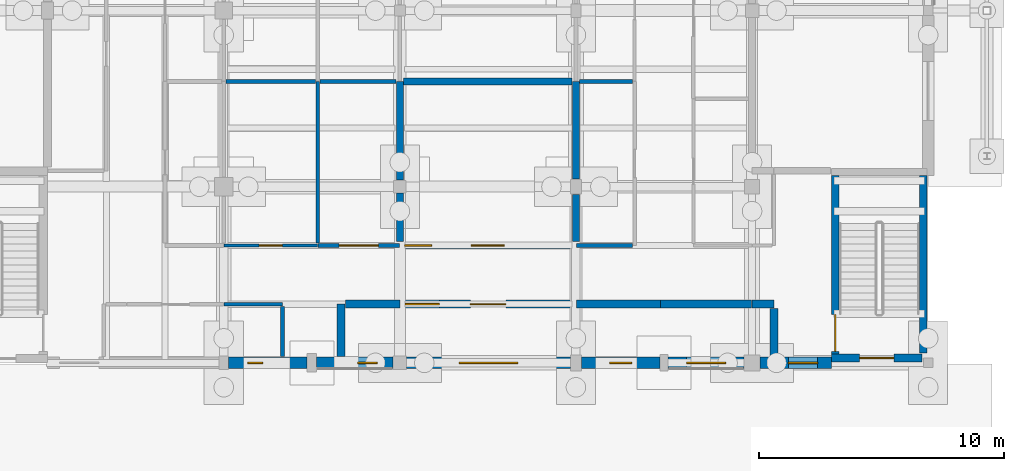
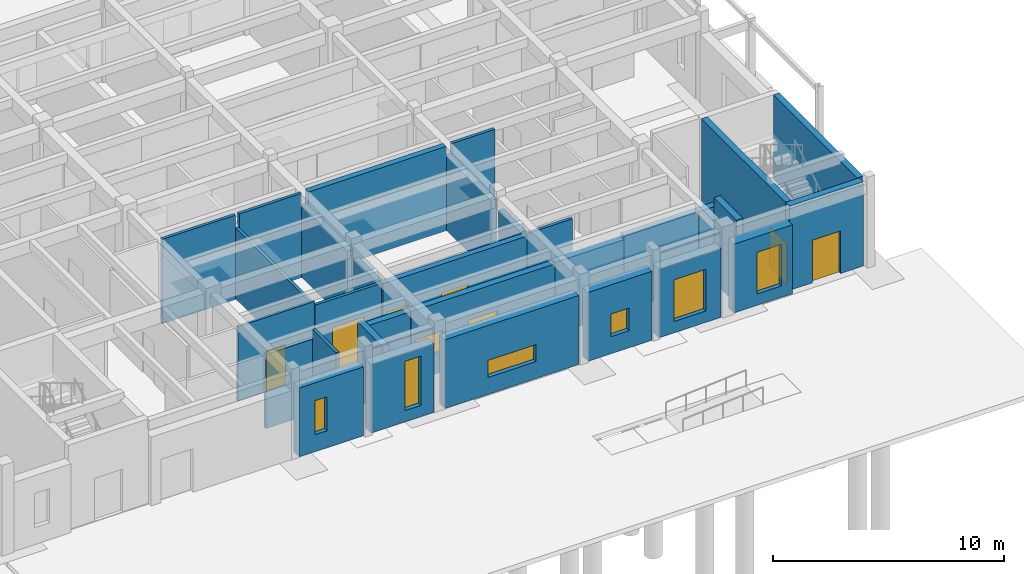
# One storey, part 117 of 143: 31 walls, 8 windows, 6 doors, 14 openings.
"""IFC4 building model written with IfcOpenShell, lengths in metres."""

import ifcopenshell
import ifcopenshell.guid

model = None  # the IFC model being written
_history = None  # IfcOwnerHistory: only IFC2X3 demands one
_inside = {}  # id of a spatial element -> (the spatial element, [elements in it])
_under = {}  # id of a project, library or spatial element -> (it, [spatial elements below it])
_declared = {}  # id of a project -> (the project, [libraries it declares])
_typed = {}  # id of a type object -> (the type object, [elements of that type])
_made_of = {}  # id of a material, layer set ... -> (it, [elements and type objects made of it])


def new_model(schema):
    """Start an empty IFC model of exactly this schema.

    Asked for "IFC4X3", IfcOpenShell would pick the latest addendum, in which some entities
    have other attributes; the version numbers below select the first issue.
    IFC2X3 requires an IfcOwnerHistory on every rooted entity: one is made here for all.
    """
    global model, _history
    if schema == "IFC4X3":
        model = ifcopenshell.file(schema_version=(4, 3, 0, 0))
    else:
        model = ifcopenshell.file(schema=schema)
    _inside.clear()
    _under.clear()
    _declared.clear()
    _typed.clear()
    _made_of.clear()
    _history = None
    if model.schema == "IFC2X3":
        org = make("IfcOrganization", Name="unknown")
        user = make(
            "IfcPersonAndOrganization",
            ThePerson=make("IfcPerson", FamilyName="unknown"),
            TheOrganization=org,
        )
        app = make(
            "IfcApplication",
            ApplicationDeveloper=org,
            Version="unknown",
            ApplicationFullName="unknown",
            ApplicationIdentifier="unknown",
        )
        _history = make(
            "IfcOwnerHistory",
            OwningUser=user,
            OwningApplication=app,
            ChangeAction="ADDED",
            CreationDate=0,
        )
    return model


def make(cls, **values):
    """One entity of the class cls with the attributes given. An attribute that is None is left unset."""
    return model.create_entity(
        cls, **{name: value for name, value in values.items() if value is not None}
    )


def rooted(cls, **values):
    """An entity with a GlobalId (a new one), such as an element, a storey or a relation."""
    return make(cls, GlobalId=ifcopenshell.guid.new(), OwnerHistory=_history, **values)


def si_unit(unit_type, name, prefix=None):
    """IfcSIUnit, for example si_unit("LENGTHUNIT", "METRE", prefix="MILLI")."""
    return make("IfcSIUnit", UnitType=unit_type, Prefix=prefix, Name=name)


def assignment(units):
    """IfcUnitAssignment: the units of a project."""
    return None if units is None else make("IfcUnitAssignment", Units=units)


def point(xyz):
    """IfcCartesianPoint."""
    return None if xyz is None else make("IfcCartesianPoint", Coordinates=xyz)


def direction(xyz):
    """IfcDirection."""
    return None if xyz is None else make("IfcDirection", DirectionRatios=xyz)


def frame(location, z_axis=None, x_axis=None):
    """IfcAxis2Placement3D, a coordinate frame: its origin and axes. An axis left out is left unset."""
    return make(
        "IfcAxis2Placement3D",
        Location=point(location),
        Axis=direction(z_axis),
        RefDirection=direction(x_axis),
    )


def frame_2d(location, x_axis=None):
    """IfcAxis2Placement2D, a coordinate frame in the plane: its origin and x axis."""
    return make(
        "IfcAxis2Placement2D", Location=point(location), RefDirection=direction(x_axis)
    )


def origin():
    """The frame at (0, 0, 0) with its axes left unset."""
    return frame((0.0, 0.0, 0.0))


def place(relative_to, where):
    """IfcLocalPlacement: puts the frame where relative to a parent placement (None: the world)."""
    return make(
        "IfcLocalPlacement", PlacementRelTo=relative_to, RelativePlacement=where
    )


def context(
    kind, dimensions, precision=None, world=None, true_north=None, identifier=None
):
    """IfcGeometricRepresentationContext, for example the 3D "Model" context."""
    return make(
        "IfcGeometricRepresentationContext",
        ContextIdentifier=identifier,
        ContextType=kind,
        CoordinateSpaceDimension=dimensions,
        Precision=precision,
        WorldCoordinateSystem=world,
        TrueNorth=true_north,
    )


def subcontext(parent, identifier, kind, view, scale=None):
    """IfcGeometricRepresentationSubContext, for example "Body" below "Model"."""
    return make(
        "IfcGeometricRepresentationSubContext",
        ContextIdentifier=identifier,
        ContextType=kind,
        ParentContext=parent,
        TargetScale=scale,
        TargetView=view,
    )


def project(units=None, contexts=None):
    """IfcProject with its units and contexts."""
    return rooted(
        "IfcProject",
        Name="project",
        RepresentationContexts=contexts,
        UnitsInContext=assignment(units),
    )


def spatial(cls, under=None, at=None, **own):
    """A site, building, storey or space (cls), placed at a placement, below another one or the project."""
    s = rooted(cls, ObjectPlacement=at, **own)
    if under is not None:
        _under.setdefault(under.id(), (under, []))[1].append(s)
    return s


def profile(cls, at=None, kind="AREA", **sizes):
    """A parametric profile (cls). Its sizes go by their IFC names, for example OverallWidth=200.0."""
    return make(cls, ProfileType=kind, Position=at, **sizes)


def rectangle(**sizes):
    """IfcRectangleProfileDef."""
    return profile("IfcRectangleProfileDef", **sizes)


def extrude(swept, where, along, depth):
    """IfcExtrudedAreaSolid: the profile swept, set in the frame where, extruded along a direction by depth."""
    return make(
        "IfcExtrudedAreaSolid",
        SweptArea=swept,
        Position=where,
        ExtrudedDirection=direction(along),
        Depth=depth,
    )


def shape(context_of_items, identifier, shape_type, items):
    """IfcShapeRepresentation: the items that make up one representation, for example the "Body"."""
    return make(
        "IfcShapeRepresentation",
        ContextOfItems=context_of_items,
        RepresentationIdentifier=identifier,
        RepresentationType=shape_type,
        Items=items,
    )


def material(Name=None, Category=None):
    """IfcMaterial."""
    return make("IfcMaterial", Name=Name, Category=Category)


def layer(
    of_material, thickness, ventilated=None, Name=None, Category=None, Priority=None
):
    """IfcMaterialLayer: one layer of a wall or slab, of a material (None: an air gap)."""
    return make(
        "IfcMaterialLayer",
        Material=of_material,
        LayerThickness=thickness,
        IsVentilated=ventilated,
        Name=Name,
        Category=Category,
        Priority=Priority,
    )


def layer_set(layers, Name=None):
    """IfcMaterialLayerSet."""
    return make("IfcMaterialLayerSet", MaterialLayers=layers, LayerSetName=Name)


def made_of(thing, what):
    """Note that an element or type object is made of a material, layer set ...; save() writes the relation."""
    if what is not None:
        _made_of.setdefault(what.id(), (what, []))[1].append(thing)
    return thing


def type_object(cls, material=None, **own):
    """A type object (cls), such as IfcWallType, which elements share."""
    return made_of(rooted(cls, **own), material)


def element(
    cls,
    number,
    at=None,
    inside=None,
    cuts=None,
    type_object=None,
    material=None,
    context=None,
    identifier="Body",
    shape_type=None,
    held_by="IfcProductDefinitionShape",
    body=None,
    shapes=None,
    **own,
):
    """One element of the class cls, such as IfcWall. Its Tag is "e" and its number.

    at: its placement. inside: the storey or other place that contains it. cuts: it is an
    opening in that element (IfcRelVoidsElement). A single representation is given by context,
    identifier, shape_type and body (its items); several are given by shapes. held_by: the class
    of the entity that holds the representations. save() writes the other relations.
    """
    e = rooted(cls, Tag="e%d" % number, ObjectPlacement=at, **own)
    if body is not None:
        shapes = [shape(context, identifier, shape_type, body)]
    if shapes is not None:
        e.Representation = make(held_by, Representations=shapes)
    if inside is not None:
        _inside.setdefault(inside.id(), (inside, []))[1].append(e)
    if cuts is not None:
        rooted(
            "IfcRelVoidsElement", RelatingBuildingElement=cuts, RelatedOpeningElement=e
        )
    if type_object is not None:
        _typed.setdefault(type_object.id(), (type_object, []))[1].append(e)
    return made_of(e, material)


def fill(opening, filler):
    """IfcRelFillsElement: the door or window that sits in an opening."""
    return rooted(
        "IfcRelFillsElement",
        RelatingOpeningElement=opening,
        RelatedBuildingElement=filler,
    )


def aggregate(whole, parts):
    """IfcRelAggregates: a whole, such as a stair, and the parts it consists of."""
    return rooted("IfcRelAggregates", RelatingObject=whole, RelatedObjects=parts)


def save(model, path):
    """Write the relations noted so far, then the file.

    IfcRelAggregates (storeys below a building ...), IfcRelContainedInSpatialStructure (elements
    in a storey), IfcRelDefinesByType, IfcRelAssociatesMaterial and IfcRelDeclares: one each for
    every whole, place, type object, material and project.
    """
    for whole, parts in _under.values():
        aggregate(whole, parts)
    for where, things in _inside.values():
        rooted(
            "IfcRelContainedInSpatialStructure",
            RelatedElements=things,
            RelatingStructure=where,
        )
    for kind, things in _typed.values():
        rooted("IfcRelDefinesByType", RelatedObjects=things, RelatingType=kind)
    for what, things in _made_of.values():
        rooted("IfcRelAssociatesMaterial", RelatedObjects=things, RelatingMaterial=what)
    for by, libraries in _declared.values():
        rooted("IfcRelDeclares", RelatingContext=by, RelatedDefinitions=libraries)
    model.write(path)


model = new_model("IFC4")

# Units and contexts
model_context = context("Model", 3, precision=1e-05, world=origin(), true_north=direction((0.0, 1.0)))
body_context = subcontext(model_context, "Body", "Model", "MODEL_VIEW")
ifc_project = project(units=[si_unit("LENGTHUNIT", "METRE"), si_unit("AREAUNIT", "SQUARE_METRE"), si_unit("VOLUMEUNIT", "CUBIC_METRE"), si_unit("PLANEANGLEUNIT", "RADIAN"), si_unit("MASSUNIT", "GRAM", prefix="KILO")], contexts=[model_context])

# Site, building, storey
site_placement = place(None, origin())
site = spatial("IfcSite", under=ifc_project, at=site_placement, CompositionType="ELEMENT")
building_placement = place(site_placement, origin())
building = spatial("IfcBuilding", under=site, at=building_placement, Name="Steenspoor Specialist Clinic", CompositionType="ELEMENT")
storey_placement = place(building_placement, origin())
storey = spatial("IfcBuildingStorey", under=building, at=storey_placement, Name="L00", CompositionType="ELEMENT", Elevation=0.0)

# Wall, opening, window
ifc_material_1 = material(Name="Volcanic basalt ashlar masonry", Category="masonry")
ifc_layer_1 = layer(ifc_material_1, 0.47998046875)
ifc_layer_set_1 = layer_set([ifc_layer_1], Name="Volcanic basalt ashlar masonry")
wall_type_1 = type_object("IfcWallType", Name="W-BASALT-480", PredefinedType="SOLIDWALL", material=ifc_layer_set_1)
wall_1_placement = place(storey_placement, frame((157.25, 13.050048828125, 0.0), z_axis=(0.0, 0.0, 1.0), x_axis=(-1.0, 0.0, 0.0)))
wall_1 = element("IfcWall", 1, at=wall_1_placement, inside=storey, type_object=wall_type_1, Name="Exterior Brick Wall EW-V2-L00-0035", PredefinedType="SOLIDWALL", context=body_context, shape_type="SweptSolid", body=[
    extrude(rectangle(XDim=2.925048828125, YDim=0.47998046875, at=frame_2d((1.46240234375, 0.0))), origin(), (0.0, 0.0, 1.0), 3.639892578125),
])
opening_1_placement = place(wall_1_placement, frame((0.56494140625, 0.0, 0.60009765625)))
opening_1 = element("IfcOpeningElement", 2, at=opening_1_placement, cuts=wall_1, Name="Opening WN-15", PredefinedType="OPENING", context=body_context, shape_type="SweptSolid", body=[
    extrude(rectangle(XDim=1.199951171875, YDim=2.199951171875, at=frame_2d((0.60009765625, 1.10009765625))), frame((0.0, 0.25, 0.0), z_axis=(0.0, -1.0, 0.0), x_axis=(1.0, 0.0, 0.0)), (0.0, 0.0, 1.0), 0.5),
])
ifc_material_2 = material(Name="Thermally broken aluminium and low-emissivity glass", Category="aluminium")
window_type_1 = type_object("IfcWindowType", Name="WN-EXT-120X220", PartitioningType="SINGLE_PANEL", PredefinedType="WINDOW", material=ifc_material_2)
window_1_placement = place(opening_1_placement, origin())
window_1 = element("IfcWindow", 3, at=window_1_placement, inside=storey, type_object=window_type_1, Name="Window 0044", OverallHeight=2.199951171875, OverallWidth=1.199951171875, PartitioningType="SINGLE_PANEL", PredefinedType="WINDOW", context=body_context, shape_type="SweptSolid", body=[
    extrude(rectangle(XDim=1.199951171875, YDim=2.199951171875, at=frame_2d((0.60009765625, 1.10009765625))), frame((0.0, 0.030029296875, 0.0), z_axis=(0.0, -1.0, 0.0), x_axis=(1.0, 0.0, 0.0)), (0.0, 0.0, 1.0), 0.06005859375),
])
fill(opening_1, window_1)

wall_2_placement = place(storey_placement, frame((153.675048828125, 13.050048828125, 0.0), z_axis=(0.0, 0.0, 1.0), x_axis=(-1.0, 0.0, 0.0)))
wall_2 = element("IfcWall", 4, at=wall_2_placement, inside=storey, type_object=wall_type_1, Name="Exterior Brick Wall EW-V2-L00-0036", PredefinedType="SOLIDWALL", context=body_context, shape_type="SweptSolid", body=[
    extrude(rectangle(XDim=3.10498046875, YDim=0.47998046875, at=frame_2d((1.552490234375, 0.0))), origin(), (0.0, 0.0, 1.0), 3.639892578125),
])
opening_2_placement = place(wall_2_placement, frame((0.75244140625, 0.0, 0.60009765625)))
opening_2 = element("IfcOpeningElement", 5, at=opening_2_placement, cuts=wall_2, Name="Opening WN-16", PredefinedType="OPENING", context=body_context, shape_type="SweptSolid", body=[
    extrude(rectangle(XDim=1.60009765625, YDim=2.199951171875, at=frame_2d((0.800048828125, 1.10009765625))), frame((0.0, 0.25, 0.0), z_axis=(0.0, -1.0, 0.0), x_axis=(1.0, 0.0, 0.0)), (0.0, 0.0, 1.0), 0.5),
])
window_type_2 = type_object("IfcWindowType", Name="WN-EXT-160X220", PartitioningType="SINGLE_PANEL", PredefinedType="WINDOW", material=ifc_material_2)
window_2_placement = place(opening_2_placement, origin())
window_2 = element("IfcWindow", 6, at=window_2_placement, inside=storey, type_object=window_type_2, Name="Window 0045", OverallHeight=2.199951171875, OverallWidth=1.60009765625, PartitioningType="SINGLE_PANEL", PredefinedType="WINDOW", context=body_context, shape_type="SweptSolid", body=[
    extrude(rectangle(XDim=1.60009765625, YDim=2.199951171875, at=frame_2d((0.800048828125, 1.10009765625))), frame((0.0, 0.030029296875, 0.0), z_axis=(0.0, -1.0, 0.0), x_axis=(1.0, 0.0, 0.0)), (0.0, 0.0, 1.0), 0.06005859375),
])
fill(opening_2, window_2)

wall_3_placement = place(storey_placement, frame((150.22998046875, 13.050048828125, 0.0), z_axis=(0.0, 0.0, 1.0), x_axis=(-1.0, 0.0, 0.0)))
wall_3 = element("IfcWall", 7, at=wall_3_placement, inside=storey, type_object=wall_type_1, Name="Exterior Brick Wall EW-V2-L00-0037", PredefinedType="SOLIDWALL", context=body_context, shape_type="SweptSolid", body=[
    extrude(rectangle(XDim=3.205078125, YDim=0.47998046875, at=frame_2d((1.6025390625, 0.0))), origin(), (0.0, 0.0, 1.0), 3.639892578125),
])
opening_3_placement = place(wall_3_placement, frame((1.152587890625, 0.0, 0.89990234375)))
opening_3 = element("IfcOpeningElement", 8, at=opening_3_placement, cuts=wall_3, Name="Opening WN-21", PredefinedType="OPENING", context=body_context, shape_type="SweptSolid", body=[
    extrude(rectangle(XDim=0.89990234375, YDim=1.199951171875, at=frame_2d((0.449951171875, 0.60009765625))), frame((0.0, 0.25, 0.0), z_axis=(0.0, -1.0, 0.0), x_axis=(1.0, 0.0, 0.0)), (0.0, 0.0, 1.0), 0.5),
])
window_type_3 = type_object("IfcWindowType", Name="WN-EXT-090X120", PartitioningType="SINGLE_PANEL", PredefinedType="WINDOW", material=ifc_material_2)
window_3_placement = place(opening_3_placement, origin())
window_3 = element("IfcWindow", 9, at=window_3_placement, inside=storey, type_object=window_type_3, Name="Window 0046", OverallHeight=1.199951171875, OverallWidth=0.89990234375, PartitioningType="SINGLE_PANEL", PredefinedType="WINDOW", context=body_context, shape_type="SweptSolid", body=[
    extrude(rectangle(XDim=0.89990234375, YDim=1.199951171875, at=frame_2d((0.449951171875, 0.60009765625))), frame((0.0, 0.030029296875, 0.0), z_axis=(0.0, -1.0, 0.0), x_axis=(1.0, 0.0, 0.0)), (0.0, 0.0, 1.0), 0.06005859375),
])
fill(opening_3, window_3)

wall_4_placement = place(storey_placement, frame((146.574951171875, 13.050048828125, 0.0), z_axis=(0.0, 0.0, 1.0), x_axis=(-1.0, 0.0, 0.0)))
wall_4 = element("IfcWall", 10, at=wall_4_placement, inside=storey, type_object=wall_type_1, Name="Exterior Brick Wall EW-V2-L00-0038", PredefinedType="SOLIDWALL", context=body_context, shape_type="SweptSolid", body=[
    extrude(rectangle(XDim=6.699951171875, YDim=0.47998046875, at=frame_2d((3.35009765625, 0.0))), origin(), (0.0, 0.0, 1.0), 3.639892578125),
])
opening_4_placement = place(wall_4_placement, frame((2.14990234375, 0.0, 0.89990234375)))
opening_4 = element("IfcOpeningElement", 11, at=opening_4_placement, cuts=wall_4, Name="Opening WN-23", PredefinedType="OPENING", context=body_context, shape_type="SweptSolid", body=[
    extrude(rectangle(XDim=2.39990234375, YDim=0.89990234375, at=frame_2d((1.199951171875, 0.449951171875))), frame((0.0, 0.25, 0.0), z_axis=(0.0, -1.0, 0.0), x_axis=(1.0, 0.0, 0.0)), (0.0, 0.0, 1.0), 0.5),
])
window_type_4 = type_object("IfcWindowType", Name="WN-EXT-240X090", PartitioningType="SINGLE_PANEL", PredefinedType="WINDOW", material=ifc_material_2)
window_4_placement = place(opening_4_placement, origin())
window_4 = element("IfcWindow", 12, at=window_4_placement, inside=storey, type_object=window_type_4, Name="Window 0047", OverallHeight=0.89990234375, OverallWidth=2.39990234375, PartitioningType="SINGLE_PANEL", PredefinedType="WINDOW", context=body_context, shape_type="SweptSolid", body=[
    extrude(rectangle(XDim=2.39990234375, YDim=0.89990234375, at=frame_2d((1.199951171875, 0.449951171875))), frame((0.0, 0.030029296875, 0.0), z_axis=(0.0, -1.0, 0.0), x_axis=(1.0, 0.0, 0.0)), (0.0, 0.0, 1.0), 0.06005859375),
])
fill(opening_4, window_4)

wall_5_placement = place(storey_placement, frame((139.324951171875, 13.050048828125, 0.0), z_axis=(0.0, 0.0, 1.0), x_axis=(-1.0, 0.0, 0.0)))
wall_5 = element("IfcWall", 13, at=wall_5_placement, inside=storey, type_object=wall_type_1, Name="Exterior Brick Wall EW-V2-L00-0039", PredefinedType="SOLIDWALL", context=body_context, shape_type="SweptSolid", body=[
    extrude(rectangle(XDim=3.135009765625, YDim=0.47998046875, at=frame_2d((1.5673828125, 0.0))), origin(), (0.0, 0.0, 1.0), 3.639892578125),
])
opening_5_placement = place(wall_5_placement, frame((0.652587890625, 0.0, 0.60009765625)))
opening_5 = element("IfcOpeningElement", 14, at=opening_5_placement, cuts=wall_5, Name="Opening WN-24", PredefinedType="OPENING", context=body_context, shape_type="SweptSolid", body=[
    extrude(rectangle(XDim=0.800048828125, YDim=2.60009765625, at=frame_2d((0.39990234375, 1.300048828125))), frame((0.0, 0.25, 0.0), z_axis=(0.0, -1.0, 0.0), x_axis=(1.0, 0.0, 0.0)), (0.0, 0.0, 1.0), 0.5),
])
window_type_5 = type_object("IfcWindowType", Name="WN-EXT-080X260", PartitioningType="SINGLE_PANEL", PredefinedType="WINDOW", material=ifc_material_2)
window_5_placement = place(opening_5_placement, origin())
window_5 = element("IfcWindow", 15, at=window_5_placement, inside=storey, type_object=window_type_5, Name="Window 0048", OverallHeight=2.60009765625, OverallWidth=0.800048828125, PartitioningType="SINGLE_PANEL", PredefinedType="WINDOW", context=body_context, shape_type="SweptSolid", body=[
    extrude(rectangle(XDim=0.800048828125, YDim=2.60009765625, at=frame_2d((0.39990234375, 1.300048828125))), frame((0.0, 0.030029296875, 0.0), z_axis=(0.0, -1.0, 0.0), x_axis=(1.0, 0.0, 0.0)), (0.0, 0.0, 1.0), 0.06005859375),
])
fill(opening_5, window_5)

wall_6_placement = place(storey_placement, frame((135.81005859375, 13.050048828125, 0.0), z_axis=(0.0, 0.0, 1.0), x_axis=(-1.0, 0.0, 0.0)))
wall_6 = element("IfcWall", 16, at=wall_6_placement, inside=storey, type_object=wall_type_1, Name="Exterior Brick Wall EW-V2-L00-0040", PredefinedType="SOLIDWALL", context=body_context, shape_type="SweptSolid", body=[
    extrude(rectangle(XDim=3.2099609375, YDim=0.47998046875, at=frame_2d((1.60498046875, 0.0))), origin(), (0.0, 0.0, 1.0), 3.639892578125),
])
opening_6_placement = place(wall_6_placement, frame((1.820068359375, 0.0, 0.89990234375)))
opening_6 = element("IfcOpeningElement", 17, at=opening_6_placement, cuts=wall_6, Name="Opening WN-01", PredefinedType="OPENING", context=body_context, shape_type="SweptSolid", body=[
    extrude(rectangle(XDim=0.60009765625, YDim=1.800048828125, at=frame_2d((0.300048828125, 0.89990234375))), frame((0.0, 0.25, 0.0), z_axis=(0.0, -1.0, 0.0), x_axis=(1.0, 0.0, 0.0)), (0.0, 0.0, 1.0), 0.5),
])
window_type_6 = type_object("IfcWindowType", Name="WN-EXT-060X180", PartitioningType="SINGLE_PANEL", PredefinedType="WINDOW", material=ifc_material_2)
window_6_placement = place(opening_6_placement, origin())
window_6 = element("IfcWindow", 18, at=window_6_placement, inside=storey, type_object=window_type_6, Name="Window 0049", OverallHeight=1.800048828125, OverallWidth=0.60009765625, PartitioningType="SINGLE_PANEL", PredefinedType="WINDOW", context=body_context, shape_type="SweptSolid", body=[
    extrude(rectangle(XDim=0.60009765625, YDim=1.800048828125, at=frame_2d((0.300048828125, 0.89990234375))), frame((0.0, 0.030029296875, 0.0), z_axis=(0.0, -1.0, 0.0), x_axis=(1.0, 0.0, 0.0)), (0.0, 0.0, 1.0), 0.06005859375),
])
fill(opening_6, window_6)

# Walls
ifc_material_3 = material(Name="Gypsum acoustic clinical partition", Category="gypsum")
ifc_layer_2 = layer(ifc_material_3, 0.14990234375)
ifc_layer_set_2 = layer_set([ifc_layer_2], Name="Gypsum acoustic clinical partition")
wall_type_2 = type_object("IfcWallType", Name="W-CLIN-150", PredefinedType="PARTITIONING", material=ifc_layer_set_2)
wall_7_placement = place(storey_placement, frame((132.4150390625, 15.449951171875, 0.0), z_axis=(0.0, 0.0, 1.0), x_axis=(1.0, 0.0, 0.0)))
element("IfcWall", 19, at=wall_7_placement, inside=storey, type_object=wall_type_2, Name="Interior Partition IW-V2-L00-0186", PredefinedType="PARTITIONING", context=body_context, shape_type="SweptSolid", body=[
    extrude(rectangle(XDim=2.385009765625, YDim=0.14990234375, at=frame_2d((1.1923828125, 0.0))), origin(), (0.0, 0.0, 1.0), 3.925048828125),
])
wall_8_placement = place(storey_placement, frame((134.800048828125, 13.304931640625, 0.0), z_axis=(0.0, 0.0, 1.0), x_axis=(0.0, 1.0, 0.0)))
element("IfcWall", 20, at=wall_8_placement, inside=storey, type_object=wall_type_2, Name="Interior Partition IW-V2-L00-0187", PredefinedType="PARTITIONING", context=body_context, shape_type="SweptSolid", body=[
    extrude(rectangle(XDim=2.05517578125, YDim=0.14990234375, at=frame_2d((1.027587890625, 0.0))), origin(), (0.0, 0.0, 1.0), 4.4599609375),
])

# Wall, opening, door
wall_9_placement = place(storey_placement, frame((136.25, 17.85009765625, 0.0), z_axis=(0.0, 0.0, 1.0), x_axis=(1.0, 0.0, 0.0)))
wall_9 = element("IfcWall", 21, at=wall_9_placement, inside=storey, type_object=wall_type_2, Name="Interior Partition IW-V2-L00-0192", PredefinedType="PARTITIONING", context=body_context, shape_type="SweptSolid", body=[
    extrude(rectangle(XDim=3.3349609375, YDim=0.14990234375, at=frame_2d((1.66748046875, 0.0))), origin(), (0.0, 0.0, 1.0), 3.72509765625),
])
opening_7_placement = place(wall_9_placement, frame((0.867431640625, 0.0, 0.0)))
opening_7 = element("IfcOpeningElement", 22, at=opening_7_placement, cuts=wall_9, Name="Opening D0085", PredefinedType="OPENING", context=body_context, shape_type="SweptSolid", body=[
    extrude(rectangle(XDim=1.60009765625, YDim=2.25, at=frame_2d((0.800048828125, 1.125))), frame((0.0, 0.0849609375, 0.0), z_axis=(0.0, -1.0, 0.0), x_axis=(1.0, 0.0, 0.0)), (0.0, 0.0, 1.0), 0.169921875),
])
ifc_material_4 = material(Name="Hygienic HPL clinical timber door", Category="wood")
door_type_1 = type_object("IfcDoorType", Name="DT-PROC-160X225", OperationType="NOTDEFINED", PredefinedType="DOOR", material=ifc_material_4)
door_1_placement = place(opening_7_placement, origin())
door_1 = element("IfcDoor", 23, at=door_1_placement, inside=storey, type_object=door_type_1, Name="Clinical Door D0085", OperationType="SINGLE_SWING_RIGHT", OverallHeight=2.25, OverallWidth=1.60009765625, PredefinedType="DOOR", context=body_context, shape_type="SweptSolid", body=[
    extrude(rectangle(XDim=1.60009765625, YDim=2.25, at=frame_2d((0.800048828125, 1.125))), frame((0.0, 0.02490234375, 0.0), z_axis=(0.0, -1.0, 0.0), x_axis=(1.0, 0.0, 0.0)), (0.0, 0.0, 1.0), 0.050048828125),
])
fill(opening_7, door_1)

# Walls
wall_10_placement = place(storey_placement, frame((146.81494140625, 17.85009765625, 0.0), z_axis=(0.0, 0.0, 1.0), x_axis=(1.0, 0.0, 0.0)))
element("IfcWall", 24, at=wall_10_placement, inside=storey, type_object=wall_type_2, Name="Interior Partition IW-V2-L00-0194", PredefinedType="PARTITIONING", context=body_context, shape_type="SweptSolid", body=[
    extrude(rectangle(XDim=2.295166015625, YDim=0.14990234375, at=frame_2d((1.1474609375, 0.0))), origin(), (0.0, 0.0, 1.0), 3.794921875),
])
wall_11_placement = place(storey_placement, frame((136.25, 17.93994140625, 0.0), z_axis=(0.0, 0.0, 1.0), x_axis=(0.0, 1.0, 0.0)))
element("IfcWall", 25, at=wall_11_placement, inside=storey, type_object=wall_type_2, Name="Interior Partition IW-V2-L00-0570", PredefinedType="PARTITIONING", context=body_context, shape_type="SweptSolid", body=[
    extrude(rectangle(XDim=6.610107421875, YDim=0.14990234375, at=frame_2d((3.30517578125, 0.0))), origin(), (0.0, 0.0, 1.0), 3.7451171875),
])
wall_12_placement = place(storey_placement, frame((132.489990234375, 24.550048828125, 0.0), z_axis=(0.0, 0.0, 1.0), x_axis=(1.0, 0.0, 0.0)))
element("IfcWall", 26, at=wall_12_placement, inside=storey, type_object=wall_type_2, Name="Interior Partition IW-V2-L00-0571", PredefinedType="PARTITIONING", context=body_context, shape_type="SweptSolid", body=[
    extrude(rectangle(XDim=3.669921875, YDim=0.14990234375, at=frame_2d((1.8349609375, 0.0))), origin(), (0.0, 0.0, 1.0), 4.4599609375),
])
wall_13_placement = place(storey_placement, frame((136.340087890625, 24.550048828125, 0.0), z_axis=(0.0, 0.0, 1.0), x_axis=(1.0, 0.0, 0.0)))
element("IfcWall", 27, at=wall_13_placement, inside=storey, type_object=wall_type_2, Name="Interior Partition IW-V2-L00-0572", PredefinedType="PARTITIONING", context=body_context, shape_type="SweptSolid", body=[
    extrude(rectangle(XDim=3.10498046875, YDim=0.14990234375, at=frame_2d((1.552490234375, 0.0))), origin(), (0.0, 0.0, 1.0), 4.4599609375),
])
wall_14_placement = place(storey_placement, frame((146.955078125, 24.550048828125, 0.0), z_axis=(0.0, 0.0, 1.0), x_axis=(1.0, 0.0, 0.0)))
element("IfcWall", 28, at=wall_14_placement, inside=storey, type_object=wall_type_2, Name="Interior Partition IW-V2-L00-0573", PredefinedType="PARTITIONING", context=body_context, shape_type="SweptSolid", body=[
    extrude(rectangle(XDim=2.155029296875, YDim=0.14990234375, at=frame_2d((1.07763671875, 0.0))), origin(), (0.0, 0.0, 1.0), 4.4599609375),
])

# Wall, opening, door
ifc_material_5 = material(Name="Concrete C40/50", Category="concrete")
ifc_layer_3 = layer(ifc_material_5, 0.330078125)
ifc_layer_set_3 = layer_set([ifc_layer_3], Name="Concrete C40/50")
wall_type_3 = type_object("IfcWallType", Name="W-ESW-330", PredefinedType="SHEAR", material=ifc_layer_set_3)
wall_15_placement = place(storey_placement, frame((160.949951171875, 13.25, 0.0), z_axis=(0.0, 0.0, 1.0), x_axis=(-1.0, 0.0, 0.0)))
wall_15 = element("IfcWall", 29, at=wall_15_placement, inside=storey, type_object=wall_type_3, Name="Core Shear Wall SW-ST-V2B-L00-S", PredefinedType="SHEAR", context=body_context, shape_type="SweptSolid", body=[
    extrude(rectangle(XDim=3.699951171875, YDim=0.330078125, at=frame_2d((1.85009765625, 0.0))), origin(), (0.0, 0.0, 1.0), 4.4599609375),
])
opening_8_placement = place(wall_15_placement, frame((1.14990234375, 0.0, 0.0)))
opening_8 = element("IfcOpeningElement", 30, at=opening_8_placement, cuts=wall_15, Name="Opening ED04", PredefinedType="OPENING", context=body_context, shape_type="SweptSolid", body=[
    extrude(rectangle(XDim=1.39990234375, YDim=2.25, at=frame_2d((0.699951171875, 1.125))), frame((0.0, 0.175048828125, 0.0), z_axis=(0.0, -1.0, 0.0), x_axis=(1.0, 0.0, 0.0)), (0.0, 0.0, 1.0), 0.35009765625),
])
ifc_material_6 = material(Name="Painted galvanised steel door", Category="steel")
door_type_2 = type_object("IfcDoorType", Name="DT-EXIT-140X225", OperationType="NOTDEFINED", PredefinedType="DOOR", material=ifc_material_6)
door_2_placement = place(opening_8_placement, origin())
door_2 = element("IfcDoor", 31, at=door_2_placement, inside=storey, type_object=door_type_2, Name="Exit Stair Discharge Door ED04", OperationType="SINGLE_SWING_RIGHT", OverallHeight=2.25, OverallWidth=1.39990234375, PredefinedType="DOOR", context=body_context, shape_type="SweptSolid", body=[
    extrude(rectangle(XDim=1.39990234375, YDim=2.25, at=frame_2d((0.699951171875, 1.125))), frame((0.0, 0.02490234375, 0.0), z_axis=(0.0, -1.0, 0.0), x_axis=(1.0, 0.0, 0.0)), (0.0, 0.0, 1.0), 0.050048828125),
])
fill(opening_8, door_2)

# Walls
ifc_material_7 = material(Name="Acoustic and RF shielded masonry partition", Category="masonry")
ifc_layer_4 = layer(ifc_material_7, 0.320068359375)
ifc_layer_set_4 = layer_set([ifc_layer_4], Name="Acoustic and RF shielded masonry partition")
wall_type_4 = type_object("IfcWallType", Name="W-MRI-320", PredefinedType="PARTITIONING", material=ifc_layer_set_4)
wall_16_placement = place(storey_placement, frame((154.0, 15.449951171875, 0.0), z_axis=(0.0, 0.0, 1.0), x_axis=(1.0, 0.0, 0.0)))
element("IfcWall", 32, at=wall_16_placement, inside=storey, type_object=wall_type_4, Name="Interior Partition IW-V2-L00-0048", PredefinedType="PARTITIONING", context=body_context, shape_type="SweptSolid", body=[
    extrude(rectangle(XDim=0.89990234375, YDim=0.320068359375, at=frame_2d((0.449951171875, 0.0))), origin(), (0.0, 0.0, 1.0), 3.965087890625),
])
wall_17_placement = place(storey_placement, frame((154.89990234375, 13.304931640625, 0.0), z_axis=(0.0, 0.0, 1.0), x_axis=(0.0, 1.0, 0.0)))
element("IfcWall", 33, at=wall_17_placement, inside=storey, type_object=wall_type_4, Name="Interior Partition IW-V2-L00-0049", PredefinedType="PARTITIONING", context=body_context, shape_type="SweptSolid", body=[
    extrude(rectangle(XDim=1.969970703125, YDim=0.320068359375, at=frame_2d((0.98486328125, 0.0))), origin(), (0.0, 0.0, 1.0), 4.4599609375),
])
wall_18_placement = place(storey_placement, frame((137.199951171875, 13.304931640625, 0.0), z_axis=(0.0, 0.0, 1.0), x_axis=(0.0, 1.0, 0.0)))
element("IfcWall", 34, at=wall_18_placement, inside=storey, type_object=wall_type_4, Name="Interior Partition IW-V2-L00-0050", PredefinedType="PARTITIONING", context=body_context, shape_type="SweptSolid", body=[
    extrude(rectangle(XDim=2.14501953125, YDim=0.320068359375, at=frame_2d((1.072509765625, 0.0))), origin(), (0.0, 0.0, 1.0), 3.985107421875),
])
wall_19_placement = place(storey_placement, frame((137.375, 15.449951171875, 0.0), z_axis=(0.0, 0.0, 1.0), x_axis=(1.0, 0.0, 0.0)))
element("IfcWall", 35, at=wall_19_placement, inside=storey, type_object=wall_type_4, Name="Interior Partition IW-V2-L00-0051", PredefinedType="PARTITIONING", context=body_context, shape_type="SweptSolid", body=[
    extrude(rectangle(XDim=2.22509765625, YDim=0.320068359375, at=frame_2d((1.112548828125, 0.0))), origin(), (0.0, 0.0, 1.0), 3.72509765625),
])

# Wall, openings, door, window
wall_20_placement = place(storey_placement, frame((139.614990234375, 15.449951171875, 0.0), z_axis=(0.0, 0.0, 1.0), x_axis=(1.0, 0.0, 0.0)))
wall_20 = element("IfcWall", 36, at=wall_20_placement, inside=storey, type_object=wall_type_4, Name="Interior Partition IW-V2-L00-0052", PredefinedType="PARTITIONING", context=body_context, shape_type="SweptSolid", body=[
    extrude(rectangle(XDim=7.18505859375, YDim=0.320068359375, at=frame_2d((3.592529296875, 0.0))), origin(), (0.0, 0.0, 1.0), 3.72509765625),
])
opening_9_placement = place(wall_20_placement, frame((2.867431640625, 0.0, 0.0)))
opening_9 = element("IfcOpeningElement", 37, at=opening_9_placement, cuts=wall_20, Name="Opening D0082", PredefinedType="OPENING", context=body_context, shape_type="SweptSolid", body=[
    extrude(rectangle(XDim=1.449951171875, YDim=2.25, at=frame_2d((0.72509765625, 1.125))), frame((0.0, 0.169921875, 0.0), z_axis=(0.0, -1.0, 0.0), x_axis=(1.0, 0.0, 0.0)), (0.0, 0.0, 1.0), 0.340087890625),
])
opening_10_placement = place(wall_20_placement, frame((0.199951171875, 0.0, 1.050048828125)))
opening_10 = element("IfcOpeningElement", 38, at=opening_10_placement, cuts=wall_20, Name="Opening IWN-01", PredefinedType="OPENING", context=body_context, shape_type="SweptSolid", body=[
    extrude(rectangle(XDim=1.39990234375, YDim=1.10009765625, at=frame_2d((0.699951171875, 0.550048828125))), frame((0.0, 0.169921875, 0.0), z_axis=(0.0, -1.0, 0.0), x_axis=(1.0, 0.0, 0.0)), (0.0, 0.0, 1.0), 0.340087890625),
])
ifc_material_8 = material(Name="Copper RF-shielded MRI door", Category="steel")
door_type_3 = type_object("IfcDoorType", Name="DT-MRI-145X225", OperationType="NOTDEFINED", PredefinedType="DOOR", material=ifc_material_8)
door_3_placement = place(opening_9_placement, origin())
door_3 = element("IfcDoor", 39, at=door_3_placement, inside=storey, type_object=door_type_3, Name="Clinical Door D0082", OperationType="SINGLE_SWING_LEFT", OverallHeight=2.25, OverallWidth=1.449951171875, PredefinedType="DOOR", context=body_context, shape_type="SweptSolid", body=[
    extrude(rectangle(XDim=1.449951171875, YDim=2.25, at=frame_2d((0.72509765625, 1.125))), frame((0.0, 0.02490234375, 0.0), z_axis=(0.0, -1.0, 0.0), x_axis=(1.0, 0.0, 0.0)), (0.0, 0.0, 1.0), 0.050048828125),
])
fill(opening_9, door_3)
window_type_7 = type_object("IfcWindowType", Name="IWND-OBS-140X110", PartitioningType="SINGLE_PANEL", PredefinedType="WINDOW", material=ifc_material_2)
window_7_placement = place(opening_10_placement, origin())
window_7 = element("IfcWindow", 40, at=window_7_placement, inside=storey, type_object=window_type_7, Name="Observation Window 001", OverallHeight=1.10009765625, OverallWidth=1.39990234375, PartitioningType="SINGLE_PANEL", PredefinedType="WINDOW", context=body_context, shape_type="SweptSolid", body=[
    extrude(rectangle(XDim=1.39990234375, YDim=1.10009765625, at=frame_2d((0.699951171875, 0.550048828125))), frame((0.0, 0.030029296875, 0.0), z_axis=(0.0, -1.0, 0.0), x_axis=(1.0, 0.0, 0.0)), (0.0, 0.0, 1.0), 0.06005859375),
])
fill(opening_10, window_7)

# Walls
wall_21_placement = place(storey_placement, frame((146.81494140625, 15.449951171875, 0.0), z_axis=(0.0, 0.0, 1.0), x_axis=(1.0, 0.0, 0.0)))
element("IfcWall", 41, at=wall_21_placement, inside=storey, type_object=wall_type_4, Name="Interior Partition IW-V2-L00-0053", PredefinedType="PARTITIONING", context=body_context, shape_type="SweptSolid", body=[
    extrude(rectangle(XDim=3.43505859375, YDim=0.320068359375, at=frame_2d((1.717529296875, 0.0))), origin(), (0.0, 0.0, 1.0), 3.794921875),
])
wall_22_placement = place(storey_placement, frame((150.264892578125, 15.449951171875, 0.0), z_axis=(0.0, 0.0, 1.0), x_axis=(1.0, 0.0, 0.0)))
element("IfcWall", 42, at=wall_22_placement, inside=storey, type_object=wall_type_4, Name="Interior Partition IW-V2-L00-0054", PredefinedType="PARTITIONING", context=body_context, shape_type="SweptSolid", body=[
    extrude(rectangle(XDim=3.72021484375, YDim=0.320068359375, at=frame_2d((1.860107421875, 0.0))), origin(), (0.0, 0.0, 1.0), 3.965087890625),
])

# Wall, opening, door
ifc_material_9 = material(Name="Gypsum studio partition board", Category="gypsum")
ifc_layer_5 = layer(ifc_material_9, 0.1201171875)
ifc_layer_set_5 = layer_set([ifc_layer_5], Name="Gypsum studio partition board")
wall_type_5 = type_object("IfcWallType", Name="W-PART-120", PredefinedType="PARTITIONING", material=ifc_layer_set_5)
wall_23_placement = place(storey_placement, frame((132.4150390625, 17.85009765625, 0.0), z_axis=(0.0, 0.0, 1.0), x_axis=(1.0, 0.0, 0.0)))
wall_23 = element("IfcWall", 43, at=wall_23_placement, inside=storey, type_object=wall_type_5, Name="Interior Partition IW-V2-L00-0305", PredefinedType="PARTITIONING", context=body_context, shape_type="SweptSolid", body=[
    extrude(rectangle(XDim=3.820068359375, YDim=0.1201171875, at=frame_2d((1.91015625, 0.0))), origin(), (0.0, 0.0, 1.0), 3.925048828125),
])
opening_11_placement = place(wall_23_placement, frame((1.43505859375, 0.0, 0.0)))
opening_11 = element("IfcOpeningElement", 44, at=opening_11_placement, cuts=wall_23, Name="Opening D0084", PredefinedType="OPENING", context=body_context, shape_type="SweptSolid", body=[
    extrude(rectangle(XDim=0.949951171875, YDim=2.10009765625, at=frame_2d((0.47509765625, 1.050048828125))), frame((0.0, 0.070068359375, 0.0), z_axis=(0.0, -1.0, 0.0), x_axis=(1.0, 0.0, 0.0)), (0.0, 0.0, 1.0), 0.14013671875),
])
ifc_material_10 = material(Name="Moisture-resistant HPL sanitary door", Category="wood")
door_type_4 = type_object("IfcDoorType", Name="DT-WC-095X210", OperationType="NOTDEFINED", PredefinedType="DOOR", material=ifc_material_10)
door_4_placement = place(opening_11_placement, origin())
door_4 = element("IfcDoor", 45, at=door_4_placement, inside=storey, type_object=door_type_4, Name="Clinical Door D0084", OperationType="SINGLE_SWING_LEFT", OverallHeight=2.10009765625, OverallWidth=0.949951171875, PredefinedType="DOOR", context=body_context, shape_type="SweptSolid", body=[
    extrude(rectangle(XDim=0.949951171875, YDim=2.10009765625, at=frame_2d((0.47509765625, 1.050048828125))), frame((0.0, 0.02490234375, 0.0), z_axis=(0.0, -1.0, 0.0), x_axis=(1.0, 0.0, 0.0)), (0.0, 0.0, 1.0), 0.050048828125),
])
fill(opening_11, door_4)

# Wall, openings, door, window
ifc_material_11 = material(Name="Lead-lined radiation brick partition", Category="masonry")
ifc_layer_6 = layer(ifc_material_11, 0.280029296875)
ifc_layer_set_6 = layer_set([ifc_layer_6], Name="Lead-lined radiation brick partition")
wall_type_6 = type_object("IfcWallType", Name="W-RAD-280", PredefinedType="PARTITIONING", material=ifc_layer_set_6)
wall_24_placement = place(storey_placement, frame((139.60009765625, 17.85009765625, 0.0), z_axis=(0.0, 0.0, 1.0), x_axis=(1.0, 0.0, 0.0)))
wall_24 = element("IfcWall", 46, at=wall_24_placement, inside=storey, type_object=wall_type_6, Name="Interior Partition IW-V2-L00-0062", PredefinedType="PARTITIONING", context=body_context, shape_type="SweptSolid", body=[
    extrude(rectangle(XDim=7.199951171875, YDim=0.280029296875, at=frame_2d((3.60009765625, 0.0))), origin(), (0.0, 0.0, 1.0), 3.72509765625),
])
opening_12_placement = place(wall_24_placement, frame((2.925048828125, 0.0, 0.0)))
opening_12 = element("IfcOpeningElement", 47, at=opening_12_placement, cuts=wall_24, Name="Opening D0086", PredefinedType="OPENING", context=body_context, shape_type="SweptSolid", body=[
    extrude(rectangle(XDim=1.35009765625, YDim=2.199951171875, at=frame_2d((0.675048828125, 1.10009765625))), frame((0.0, 0.14990234375, 0.0), z_axis=(0.0, -1.0, 0.0), x_axis=(1.0, 0.0, 0.0)), (0.0, 0.0, 1.0), 0.300048828125),
])
opening_13_placement = place(wall_24_placement, frame((0.199951171875, 0.0, 1.050048828125)))
opening_13 = element("IfcOpeningElement", 48, at=opening_13_placement, cuts=wall_24, Name="Opening IWN-02", PredefinedType="OPENING", context=body_context, shape_type="SweptSolid", body=[
    extrude(rectangle(XDim=1.10009765625, YDim=1.10009765625, at=frame_2d((0.550048828125, 0.550048828125))), frame((0.0, 0.14990234375, 0.0), z_axis=(0.0, -1.0, 0.0), x_axis=(1.0, 0.0, 0.0)), (0.0, 0.0, 1.0), 0.300048828125),
])
ifc_material_12 = material(Name="Lead-lined radiation clinical door", Category="steel")
door_type_5 = type_object("IfcDoorType", Name="DT-RAD-135X220", OperationType="NOTDEFINED", PredefinedType="DOOR", material=ifc_material_12)
door_5_placement = place(opening_12_placement, origin())
door_5 = element("IfcDoor", 49, at=door_5_placement, inside=storey, type_object=door_type_5, Name="Clinical Door D0086", OperationType="SINGLE_SWING_LEFT", OverallHeight=2.199951171875, OverallWidth=1.35009765625, PredefinedType="DOOR", context=body_context, shape_type="SweptSolid", body=[
    extrude(rectangle(XDim=1.35009765625, YDim=2.199951171875, at=frame_2d((0.675048828125, 1.10009765625))), frame((0.0, 0.02490234375, 0.0), z_axis=(0.0, -1.0, 0.0), x_axis=(1.0, 0.0, 0.0)), (0.0, 0.0, 1.0), 0.050048828125),
])
fill(opening_12, door_5)
window_type_8 = type_object("IfcWindowType", Name="IWND-OBS-110X110", PartitioningType="SINGLE_PANEL", PredefinedType="WINDOW", material=ifc_material_2)
window_8_placement = place(opening_13_placement, origin())
window_8 = element("IfcWindow", 50, at=window_8_placement, inside=storey, type_object=window_type_8, Name="Observation Window 002", OverallHeight=1.10009765625, OverallWidth=1.10009765625, PartitioningType="SINGLE_PANEL", PredefinedType="WINDOW", context=body_context, shape_type="SweptSolid", body=[
    extrude(rectangle(XDim=1.10009765625, YDim=1.10009765625, at=frame_2d((0.550048828125, 0.550048828125))), frame((0.0, 0.030029296875, 0.0), z_axis=(0.0, -1.0, 0.0), x_axis=(1.0, 0.0, 0.0)), (0.0, 0.0, 1.0), 0.06005859375),
])
fill(opening_13, window_8)

# Walls
wall_25_placement = place(storey_placement, frame((139.60009765625, 18.0048828125, 0.0), z_axis=(0.0, 0.0, 1.0), x_axis=(0.0, 1.0, 0.0)))
element("IfcWall", 51, at=wall_25_placement, inside=storey, type_object=wall_type_6, Name="Interior Partition IW-V2-L00-0422", PredefinedType="PARTITIONING", context=body_context, shape_type="SweptSolid", body=[
    extrude(rectangle(XDim=1.980224609375, YDim=0.280029296875, at=frame_2d((0.990234375, 0.0))), origin(), (0.0, 0.0, 1.0), 3.72509765625),
])
wall_26_placement = place(storey_placement, frame((139.60009765625, 20.514892578125, 0.0), z_axis=(0.0, 0.0, 1.0), x_axis=(0.0, 1.0, 0.0)))
element("IfcWall", 52, at=wall_26_placement, inside=storey, type_object=wall_type_6, Name="Interior Partition IW-V2-L00-0423", PredefinedType="PARTITIONING", context=body_context, shape_type="SweptSolid", body=[
    extrude(rectangle(XDim=4.03515625, YDim=0.280029296875, at=frame_2d((2.017578125, 0.0))), origin(), (0.0, 0.0, 1.0), 3.794921875),
])
wall_27_placement = place(storey_placement, frame((146.800048828125, 18.0048828125, 0.0), z_axis=(0.0, 0.0, 1.0), x_axis=(0.0, 1.0, 0.0)))
element("IfcWall", 53, at=wall_27_placement, inside=storey, type_object=wall_type_6, Name="Interior Partition IW-V2-L00-0424", PredefinedType="PARTITIONING", context=body_context, shape_type="SweptSolid", body=[
    extrude(rectangle(XDim=1.93017578125, YDim=0.280029296875, at=frame_2d((0.965087890625, 0.0))), origin(), (0.0, 0.0, 1.0), 3.794921875),
])
wall_28_placement = place(storey_placement, frame((146.800048828125, 20.56494140625, 0.0), z_axis=(0.0, 0.0, 1.0), x_axis=(0.0, 1.0, 0.0)))
element("IfcWall", 54, at=wall_28_placement, inside=storey, type_object=wall_type_6, Name="Interior Partition IW-V2-L00-0425", PredefinedType="PARTITIONING", context=body_context, shape_type="SweptSolid", body=[
    extrude(rectangle(XDim=3.985107421875, YDim=0.280029296875, at=frame_2d((1.99267578125, 0.0))), origin(), (0.0, 0.0, 1.0), 3.925048828125),
])
wall_29_placement = place(storey_placement, frame((139.7548828125, 24.550048828125, 0.0), z_axis=(0.0, 0.0, 1.0), x_axis=(1.0, 0.0, 0.0)))
element("IfcWall", 55, at=wall_29_placement, inside=storey, type_object=wall_type_6, Name="Interior Partition IW-V2-L00-0426", PredefinedType="PARTITIONING", context=body_context, shape_type="SweptSolid", body=[
    extrude(rectangle(XDim=6.89013671875, YDim=0.280029296875, at=frame_2d((3.445068359375, 0.0))), origin(), (0.0, 0.0, 1.0), 4.4599609375),
])

# Wall, opening, door
ifc_layer_7 = layer(ifc_material_5, 0.300048828125)
ifc_layer_set_7 = layer_set([ifc_layer_7], Name="Concrete C40/50")
wall_type_7 = type_object("IfcWallType", Name="W-SW-300", PredefinedType="SHEAR", material=ifc_layer_set_7)
wall_30_placement = place(storey_placement, frame((157.39990234375, 13.39990234375, 0.0), z_axis=(0.0, 0.0, 1.0), x_axis=(0.0, 1.0, 0.0)))
wall_30 = element("IfcWall", 56, at=wall_30_placement, inside=storey, type_object=wall_type_7, Name="Core Shear Wall SW-ST-V2B-L00-W", PredefinedType="SHEAR", context=body_context, shape_type="SweptSolid", body=[
    extrude(rectangle(XDim=7.300048828125, YDim=0.300048828125, at=frame_2d((3.64990234375, 0.0))), origin(), (0.0, 0.0, 1.0), 4.4599609375),
])
opening_14_placement = place(wall_30_placement, frame((0.1201171875, 0.0, 0.0)))
opening_14 = element("IfcOpeningElement", 57, at=opening_14_placement, cuts=wall_30, Name="Opening SD007", PredefinedType="OPENING", context=body_context, shape_type="SweptSolid", body=[
    extrude(rectangle(XDim=1.5, YDim=2.14990234375, at=frame_2d((0.75, 1.074951171875))), frame((0.0, 0.16015625, 0.0), z_axis=(0.0, -1.0, 0.0), x_axis=(1.0, 0.0, 0.0)), (0.0, 0.0, 1.0), 0.320068359375),
])
ifc_material_13 = material(Name="Fire-rated steel acoustic door", Category="steel")
door_type_6 = type_object("IfcDoorType", Name="DT-STAIR-150X215", OperationType="NOTDEFINED", PredefinedType="DOOR", material=ifc_material_13)
door_6_placement = place(opening_14_placement, origin())
door_6 = element("IfcDoor", 58, at=door_6_placement, inside=storey, type_object=door_type_6, Name="Exit Stair Fire Door SD007", OperationType="SINGLE_SWING_RIGHT", OverallHeight=2.14990234375, OverallWidth=1.5, PredefinedType="DOOR", context=body_context, shape_type="SweptSolid", body=[
    extrude(rectangle(XDim=1.5, YDim=2.14990234375, at=frame_2d((0.75, 1.074951171875))), frame((0.0, 0.02490234375, 0.0), z_axis=(0.0, -1.0, 0.0), x_axis=(1.0, 0.0, 0.0)), (0.0, 0.0, 1.0), 0.050048828125),
])
fill(opening_14, door_6)

# Wall
wall_31_placement = place(storey_placement, frame((161.0, 13.449951171875, 0.0), z_axis=(0.0, 0.0, 1.0), x_axis=(0.0, 1.0, 0.0)))
element("IfcWall", 59, at=wall_31_placement, inside=storey, type_object=wall_type_7, Name="Core Shear Wall SW-ST-V2B-L00-E", PredefinedType="SHEAR", context=body_context, shape_type="SweptSolid", body=[
    extrude(rectangle(XDim=7.25, YDim=0.300048828125, at=frame_2d((3.625, 0.0))), origin(), (0.0, 0.0, 1.0), 4.4599609375),
])

save(model, "model.ifc")
